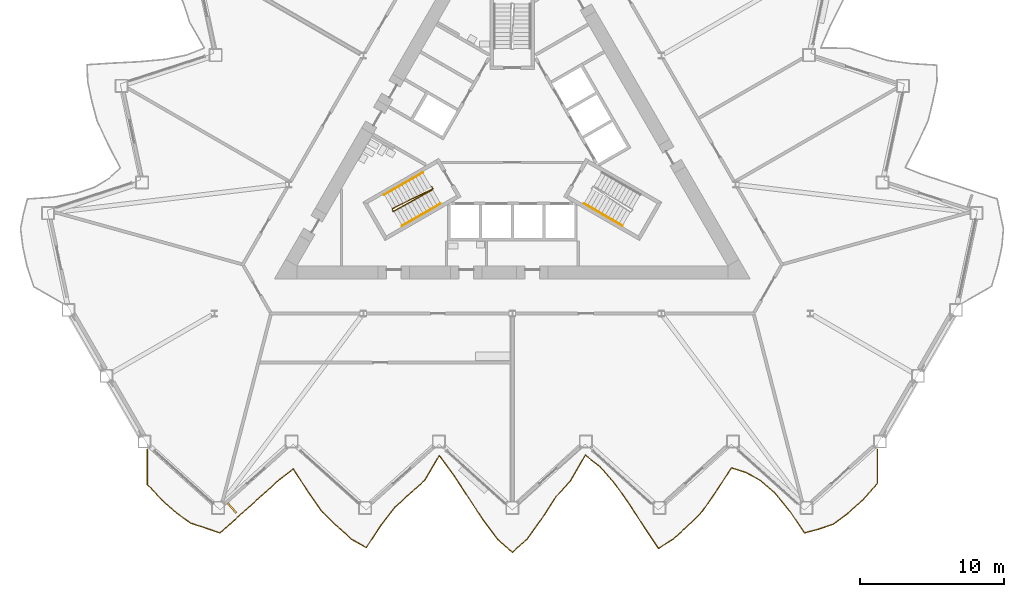
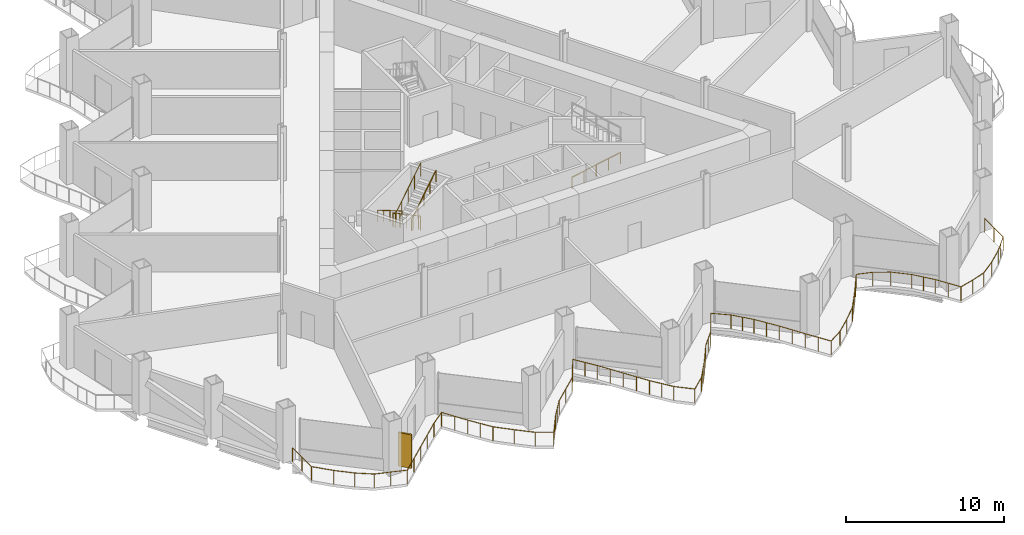
# One storey, part 17 of 21: 5 railings, 1 shading device.
"""IFC4 building model written with IfcOpenShell, lengths in metres."""

import ifcopenshell
import ifcopenshell.guid

model = None  # the IFC model being written
_history = None  # IfcOwnerHistory: only IFC2X3 demands one
_inside = {}  # id of a spatial element -> (the spatial element, [elements in it])
_under = {}  # id of a project, library or spatial element -> (it, [spatial elements below it])
_declared = {}  # id of a project -> (the project, [libraries it declares])
_typed = {}  # id of a type object -> (the type object, [elements of that type])
_made_of = {}  # id of a material, layer set ... -> (it, [elements and type objects made of it])


def new_model(schema):
    """Start an empty IFC model of exactly this schema.

    Asked for "IFC4X3", IfcOpenShell would pick the latest addendum, in which some entities
    have other attributes; the version numbers below select the first issue.
    IFC2X3 requires an IfcOwnerHistory on every rooted entity: one is made here for all.
    """
    global model, _history
    if schema == "IFC4X3":
        model = ifcopenshell.file(schema_version=(4, 3, 0, 0))
    else:
        model = ifcopenshell.file(schema=schema)
    _inside.clear()
    _under.clear()
    _declared.clear()
    _typed.clear()
    _made_of.clear()
    _history = None
    if model.schema == "IFC2X3":
        org = make("IfcOrganization", Name="unknown")
        user = make(
            "IfcPersonAndOrganization",
            ThePerson=make("IfcPerson", FamilyName="unknown"),
            TheOrganization=org,
        )
        app = make(
            "IfcApplication",
            ApplicationDeveloper=org,
            Version="unknown",
            ApplicationFullName="unknown",
            ApplicationIdentifier="unknown",
        )
        _history = make(
            "IfcOwnerHistory",
            OwningUser=user,
            OwningApplication=app,
            ChangeAction="ADDED",
            CreationDate=0,
        )
    return model


def make(cls, **values):
    """One entity of the class cls with the attributes given. An attribute that is None is left unset."""
    return model.create_entity(
        cls, **{name: value for name, value in values.items() if value is not None}
    )


def rooted(cls, **values):
    """An entity with a GlobalId (a new one), such as an element, a storey or a relation."""
    return make(cls, GlobalId=ifcopenshell.guid.new(), OwnerHistory=_history, **values)


def si_unit(unit_type, name, prefix=None):
    """IfcSIUnit, for example si_unit("LENGTHUNIT", "METRE", prefix="MILLI")."""
    return make("IfcSIUnit", UnitType=unit_type, Prefix=prefix, Name=name)


def assignment(units):
    """IfcUnitAssignment: the units of a project."""
    return None if units is None else make("IfcUnitAssignment", Units=units)


def point(xyz):
    """IfcCartesianPoint."""
    return None if xyz is None else make("IfcCartesianPoint", Coordinates=xyz)


def direction(xyz):
    """IfcDirection."""
    return None if xyz is None else make("IfcDirection", DirectionRatios=xyz)


def frame(location, z_axis=None, x_axis=None):
    """IfcAxis2Placement3D, a coordinate frame: its origin and axes. An axis left out is left unset."""
    return make(
        "IfcAxis2Placement3D",
        Location=point(location),
        Axis=direction(z_axis),
        RefDirection=direction(x_axis),
    )


def frame_2d(location, x_axis=None):
    """IfcAxis2Placement2D, a coordinate frame in the plane: its origin and x axis."""
    return make(
        "IfcAxis2Placement2D", Location=point(location), RefDirection=direction(x_axis)
    )


def origin():
    """The frame at (0, 0, 0) with its axes left unset."""
    return frame((0.0, 0.0, 0.0))


def origin_2d():
    """The frame at (0, 0) in the plane with its x axis left unset."""
    return frame_2d((0.0, 0.0))


def place(relative_to, where):
    """IfcLocalPlacement: puts the frame where relative to a parent placement (None: the world)."""
    return make(
        "IfcLocalPlacement", PlacementRelTo=relative_to, RelativePlacement=where
    )


def context(
    kind, dimensions, precision=None, world=None, true_north=None, identifier=None
):
    """IfcGeometricRepresentationContext, for example the 3D "Model" context."""
    return make(
        "IfcGeometricRepresentationContext",
        ContextIdentifier=identifier,
        ContextType=kind,
        CoordinateSpaceDimension=dimensions,
        Precision=precision,
        WorldCoordinateSystem=world,
        TrueNorth=true_north,
    )


def subcontext(parent, identifier, kind, view, scale=None):
    """IfcGeometricRepresentationSubContext, for example "Body" below "Model"."""
    return make(
        "IfcGeometricRepresentationSubContext",
        ContextIdentifier=identifier,
        ContextType=kind,
        ParentContext=parent,
        TargetScale=scale,
        TargetView=view,
    )


def project(units=None, contexts=None):
    """IfcProject with its units and contexts."""
    return rooted(
        "IfcProject",
        Name="project",
        RepresentationContexts=contexts,
        UnitsInContext=assignment(units),
    )


def spatial(cls, under=None, at=None, **own):
    """A site, building, storey or space (cls), placed at a placement, below another one or the project."""
    s = rooted(cls, ObjectPlacement=at, **own)
    if under is not None:
        _under.setdefault(under.id(), (under, []))[1].append(s)
    return s


def profile(cls, at=None, kind="AREA", **sizes):
    """A parametric profile (cls). Its sizes go by their IFC names, for example OverallWidth=200.0."""
    return make(cls, ProfileType=kind, Position=at, **sizes)


def rectangle(**sizes):
    """IfcRectangleProfileDef."""
    return profile("IfcRectangleProfileDef", **sizes)


def circle(**sizes):
    """IfcCircleProfileDef."""
    return profile("IfcCircleProfileDef", **sizes)


def extrude(swept, where, along, depth):
    """IfcExtrudedAreaSolid: the profile swept, set in the frame where, extruded along a direction by depth."""
    return make(
        "IfcExtrudedAreaSolid",
        SweptArea=swept,
        Position=where,
        ExtrudedDirection=direction(along),
        Depth=depth,
    )


def shape(context_of_items, identifier, shape_type, items):
    """IfcShapeRepresentation: the items that make up one representation, for example the "Body"."""
    return make(
        "IfcShapeRepresentation",
        ContextOfItems=context_of_items,
        RepresentationIdentifier=identifier,
        RepresentationType=shape_type,
        Items=items,
    )


def material(Name=None, Category=None):
    """IfcMaterial."""
    return make("IfcMaterial", Name=Name, Category=Category)


def layer(
    of_material, thickness, ventilated=None, Name=None, Category=None, Priority=None
):
    """IfcMaterialLayer: one layer of a wall or slab, of a material (None: an air gap)."""
    return make(
        "IfcMaterialLayer",
        Material=of_material,
        LayerThickness=thickness,
        IsVentilated=ventilated,
        Name=Name,
        Category=Category,
        Priority=Priority,
    )


def layer_set(layers, Name=None):
    """IfcMaterialLayerSet."""
    return make("IfcMaterialLayerSet", MaterialLayers=layers, LayerSetName=Name)


def made_of(thing, what):
    """Note that an element or type object is made of a material, layer set ...; save() writes the relation."""
    if what is not None:
        _made_of.setdefault(what.id(), (what, []))[1].append(thing)
    return thing


def type_object(cls, material=None, **own):
    """A type object (cls), such as IfcWallType, which elements share."""
    return made_of(rooted(cls, **own), material)


def element(
    cls,
    number,
    at=None,
    inside=None,
    cuts=None,
    type_object=None,
    material=None,
    context=None,
    identifier="Body",
    shape_type=None,
    held_by="IfcProductDefinitionShape",
    body=None,
    shapes=None,
    **own,
):
    """One element of the class cls, such as IfcWall. Its Tag is "e" and its number.

    at: its placement. inside: the storey or other place that contains it. cuts: it is an
    opening in that element (IfcRelVoidsElement). A single representation is given by context,
    identifier, shape_type and body (its items); several are given by shapes. held_by: the class
    of the entity that holds the representations. save() writes the other relations.
    """
    e = rooted(cls, Tag="e%d" % number, ObjectPlacement=at, **own)
    if body is not None:
        shapes = [shape(context, identifier, shape_type, body)]
    if shapes is not None:
        e.Representation = make(held_by, Representations=shapes)
    if inside is not None:
        _inside.setdefault(inside.id(), (inside, []))[1].append(e)
    if cuts is not None:
        rooted(
            "IfcRelVoidsElement", RelatingBuildingElement=cuts, RelatedOpeningElement=e
        )
    if type_object is not None:
        _typed.setdefault(type_object.id(), (type_object, []))[1].append(e)
    return made_of(e, material)


def aggregate(whole, parts):
    """IfcRelAggregates: a whole, such as a stair, and the parts it consists of."""
    return rooted("IfcRelAggregates", RelatingObject=whole, RelatedObjects=parts)


def save(model, path):
    """Write the relations noted so far, then the file.

    IfcRelAggregates (storeys below a building ...), IfcRelContainedInSpatialStructure (elements
    in a storey), IfcRelDefinesByType, IfcRelAssociatesMaterial and IfcRelDeclares: one each for
    every whole, place, type object, material and project.
    """
    for whole, parts in _under.values():
        aggregate(whole, parts)
    for where, things in _inside.values():
        rooted(
            "IfcRelContainedInSpatialStructure",
            RelatedElements=things,
            RelatingStructure=where,
        )
    for kind, things in _typed.values():
        rooted("IfcRelDefinesByType", RelatedObjects=things, RelatingType=kind)
    for what, things in _made_of.values():
        rooted("IfcRelAssociatesMaterial", RelatedObjects=things, RelatingMaterial=what)
    for by, libraries in _declared.values():
        rooted("IfcRelDeclares", RelatingContext=by, RelatedDefinitions=libraries)
    model.write(path)


model = new_model("IFC4")

# Units and contexts
model_context = context("Model", 3, precision=1e-05, world=origin(), true_north=direction((0.0, 1.0)))
body_context = subcontext(model_context, "Body", "Model", "MODEL_VIEW")
ifc_project = project(units=[si_unit("LENGTHUNIT", "METRE"), si_unit("AREAUNIT", "SQUARE_METRE"), si_unit("VOLUMEUNIT", "CUBIC_METRE"), si_unit("PLANEANGLEUNIT", "RADIAN"), si_unit("MASSUNIT", "GRAM", prefix="KILO")], contexts=[model_context])

# Site, building, storey
site_placement = place(None, origin())
site = spatial("IfcSite", under=ifc_project, at=site_placement, CompositionType="ELEMENT")
building_placement = place(site_placement, origin())
building = spatial("IfcBuilding", under=site, at=building_placement, Name="Cormorant Prow Tower", CompositionType="ELEMENT")
storey_placement = place(building_placement, frame((0.0, 0.0, 141.60009765625)))
storey = spatial("IfcBuildingStorey", under=building, at=storey_placement, Name="L30", CompositionType="ELEMENT", Elevation=141.60009765625)

# Railings
ifc_material_1 = material(Name="Aluminium 6063-T6", Category="aluminium")
railing_type_1 = type_object("IfcRailingType", Name="Balcony guard 1100", PredefinedType="GUARDRAIL", material=ifc_material_1)
railing_1_placement = place(storey_placement, frame((-25.322509765625, -21.367919921875, 0.0)))
element("IfcRailing", 1, at=railing_1_placement, inside=storey, type_object=railing_type_1, Name="Balcony guard S", PredefinedType="GUARDRAIL", context=body_context, shape_type="SweptSolid", body=[
    extrude(circle(Radius=0.02392578125, at=origin_2d()), frame((0.0, 0.0, 1.076171875), z_axis=(0.0, -1.0, 0.0), x_axis=(1.0, 0.0, 0.0)), (0.0, 0.0, 1.0), 2.404052734375),
    extrude(circle(Radius=0.02392578125, at=origin_2d()), frame((0.0, -2.404052734375, 1.076171875), z_axis=(0.684643577426, -0.728878022641, 0.0), x_axis=(0.728878022641, 0.684643577426, 0.0)), (0.0, 0.0, 1.0), 1.479248046875),
    extrude(circle(Radius=0.02392578125, at=origin_2d()), frame((1.0126953125, -3.482177734375, 1.076171875), z_axis=(0.743124908613, -0.669152725616, 0.0), x_axis=(0.669152725616, 0.743124908613, 0.0)), (0.0, 0.0, 1.0), 1.363037109375),
    extrude(circle(Radius=0.02392578125, at=origin_2d()), frame((2.025634765625, -4.394287109375, 1.076171875), z_axis=(0.817218885489, -0.5763274184, 0.0), x_axis=(0.5763274184, 0.817218885489, 0.0)), (0.0, 0.0, 1.0), 1.239501953125),
    extrude(circle(Radius=0.02392578125, at=origin_2d()), frame((3.03857421875, -5.108642578125, 1.076171875), z_axis=(0.951801546947, -0.306714550077, 0.0), x_axis=(0.306714550077, 0.951801546947, 0.0)), (0.0, 0.0, 1.0), 1.064208984375),
    extrude(circle(Radius=0.02392578125, at=origin_2d()), frame((4.051513671875, -5.43505859375, 1.076171875), z_axis=(0.94654027154, -0.32258566979, 0.0), x_axis=(0.32258566979, 0.94654027154, 0.0)), (0.0, 0.0, 1.0), 1.070068359375),
    extrude(circle(Radius=0.02392578125, at=origin_2d()), frame((5.064453125, -5.7802734375, 1.076171875), z_axis=(0.743124908613, 0.669152725616, 0.0), x_axis=(-0.669152725616, 0.743124908613, 0.0)), (0.0, 0.0, 1.0), 1.363037109375),
    extrude(circle(Radius=0.02392578125, at=origin_2d()), frame((6.077392578125, -4.8681640625, 1.076171875), z_axis=(0.743133776471, 0.669142877319, 0.0), x_axis=(-0.669142877319, 0.743133776471, 0.0)), (0.0, 0.0, 1.0), 1.36279296875),
    extrude(circle(Radius=0.02392578125, at=origin_2d()), frame((7.090087890625, -3.956298828125, 1.076171875), z_axis=(0.743124908613, 0.669152725616, 0.0), x_axis=(-0.669152725616, 0.743124908613, 0.0)), (0.0, 0.0, 1.0), 1.363037109375),
    extrude(circle(Radius=0.02392578125, at=origin_2d()), frame((8.10302734375, -3.044189453125, 1.076171875), z_axis=(0.743124908613, 0.669152725616, 0.0), x_axis=(-0.669152725616, 0.743124908613, 0.0)), (0.0, 0.0, 1.0), 1.363037109375),
    extrude(circle(Radius=0.02392578125, at=origin_2d()), frame((9.115966796875, -2.132080078125, 1.076171875), z_axis=(0.787416886563, 0.616420835757, 0.0), x_axis=(-0.616420835757, 0.787416886563, 0.0)), (0.0, 0.0, 1.0), 1.286376953125),
    extrude(circle(Radius=0.02392578125, at=origin_2d()), frame((10.12890625, -1.339111328125, 1.076171875), z_axis=(0.542600411715, -0.839990948288, 0.0), x_axis=(0.839990948288, 0.542600411715, 0.0)), (0.0, 0.0, 1.0), 1.866943359375),
    extrude(circle(Radius=0.02392578125, at=origin_2d()), frame((11.141845703125, -2.9072265625, 1.076171875), z_axis=(0.576601351146, -0.817025631089, 0.0), x_axis=(0.817025631089, 0.576601351146, 0.0)), (0.0, 0.0, 1.0), 1.7568359375),
    extrude(circle(Radius=0.02392578125, at=origin_2d()), frame((12.15478515625, -4.342529296875, 1.076171875), z_axis=(0.72452402997, -0.689249541165, 0.0), x_axis=(0.689249541165, 0.72452402997, 0.0)), (0.0, 0.0, 1.0), 1.398193359375),
    extrude(circle(Radius=0.02392578125, at=origin_2d()), frame((13.167724609375, -5.30615234375, 1.076171875), z_axis=(0.743124908613, -0.669152725616, 0.0), x_axis=(0.669152725616, 0.743124908613, 0.0)), (0.0, 0.0, 1.0), 1.363037109375),
    extrude(circle(Radius=0.02392578125, at=origin_2d()), frame((14.1806640625, -6.21826171875, 1.076171875), z_axis=(0.868320405783, -0.496003702508, 0.0), x_axis=(0.496003702508, 0.868320405783, 0.0)), (0.0, 0.0, 1.0), 1.16650390625),
    extrude(circle(Radius=0.02392578125, at=origin_2d()), frame((15.193603515625, -6.796875, 1.076171875), z_axis=(0.550832958169, 0.834615511595, 0.0), x_axis=(-0.834615511595, 0.550832958169, 0.0)), (0.0, 0.0, 1.0), 1.83837890625),
    extrude(circle(Radius=0.02392578125, at=origin_2d()), frame((16.206298828125, -5.262451171875, 1.076171875), z_axis=(0.61282540161, 0.790218341435, 0.0), x_axis=(-0.790218341435, 0.61282540161, 0.0)), (0.0, 0.0, 1.0), 1.65283203125),
    extrude(circle(Radius=0.02392578125, at=origin_2d()), frame((17.21923828125, -3.956298828125, 1.076171875), z_axis=(0.743124908613, 0.669152725616, 0.0), x_axis=(-0.669152725616, 0.743124908613, 0.0)), (0.0, 0.0, 1.0), 1.363037109375),
    extrude(circle(Radius=0.02392578125, at=origin_2d()), frame((18.232177734375, -3.044189453125, 1.076171875), z_axis=(0.743124908613, 0.669152725616, 0.0), x_axis=(-0.669152725616, 0.743124908613, 0.0)), (0.0, 0.0, 1.0), 1.363037109375),
    extrude(circle(Radius=0.02392578125, at=origin_2d()), frame((19.2451171875, -2.132080078125, 1.076171875), z_axis=(0.509179917799, 0.860660102079, 0.0), x_axis=(-0.860660102079, 0.509179917799, 0.0)), (0.0, 0.0, 1.0), 1.9892578125),
    extrude(circle(Radius=0.02392578125, at=origin_2d()), frame((20.258056640625, -0.419921875, 1.076171875), z_axis=(0.594894887294, -0.803803504018, 0.0), x_axis=(0.803803504018, 0.594894887294, 0.0)), (0.0, 0.0, 1.0), 1.70263671875),
    extrude(circle(Radius=0.02392578125, at=origin_2d()), frame((21.27099609375, -1.78857421875, 1.076171875), z_axis=(0.547309796682, -0.836930096517, 0.0), x_axis=(0.836930096517, 0.547309796682, 0.0)), (0.0, 0.0, 1.0), 1.850341796875),
    extrude(circle(Radius=0.02392578125, at=origin_2d()), frame((22.28369140625, -3.337158203125, 1.076171875), z_axis=(0.546919020367, -0.837185514185, 0.0), x_axis=(0.837185514185, 0.546919020367, 0.0)), (0.0, 0.0, 1.0), 1.85205078125),
    extrude(circle(Radius=0.02392578125, at=origin_2d()), frame((23.296630859375, -4.8876953125, 1.076171875), z_axis=(0.605730861972, -0.795669606592, 0.0), x_axis=(0.795669606592, 0.605730861972, 0.0)), (0.0, 0.0, 1.0), 1.67236328125),
    extrude(circle(Radius=0.02392578125, at=origin_2d()), frame((24.3095703125, -6.21826171875, 1.076171875), z_axis=(0.743213977372, -0.669053797417, 0.0), x_axis=(0.669053797417, 0.743213977372, 0.0)), (0.0, 0.0, 1.0), 1.363037109375),
    extrude(circle(Radius=0.02392578125, at=origin_2d()), frame((25.322509765625, -7.130126953125, 1.076171875), z_axis=(0.743213977372, 0.669053797417, 0.0), x_axis=(-0.669053797417, 0.743213977372, 0.0)), (0.0, 0.0, 1.0), 1.363037109375),
    extrude(circle(Radius=0.02392578125, at=origin_2d()), frame((26.33544921875, -6.21826171875, 1.076171875), z_axis=(0.587556846103, 0.809182891933, 0.0), x_axis=(-0.809182891933, 0.587556846103, 0.0)), (0.0, 0.0, 1.0), 1.723876953125),
    extrude(circle(Radius=0.02392578125, at=origin_2d()), frame((27.348388671875, -4.8232421875, 1.076171875), z_axis=(0.544692987816, 0.838635528119, 0.0), x_axis=(-0.838635528119, 0.544692987816, 0.0)), (0.0, 0.0, 1.0), 1.859619140625),
    extrude(circle(Radius=0.02392578125, at=origin_2d()), frame((28.361328125, -3.263671875, 1.076171875), z_axis=(0.666874746056, 0.745169828343, 0.0), x_axis=(-0.745169828343, 0.666874746056, 0.0)), (0.0, 0.0, 1.0), 1.5185546875),
    extrude(circle(Radius=0.02392578125, at=origin_2d()), frame((29.3740234375, -2.132080078125, 1.076171875), z_axis=(0.502004160117, 0.864865205234, 0.0), x_axis=(-0.864865205234, 0.502004160117, 0.0)), (0.0, 0.0, 1.0), 2.017822265625),
    extrude(circle(Radius=0.02392578125, at=origin_2d()), frame((30.386962890625, -0.386962890625, 1.076171875), z_axis=(0.784287247968, -0.620397866433, 0.0), x_axis=(0.620397866433, 0.784287247968, 0.0)), (0.0, 0.0, 1.0), 1.29150390625),
    extrude(circle(Radius=0.02392578125, at=origin_2d()), frame((31.39990234375, -1.188232421875, 1.076171875), z_axis=(0.661242031775, -0.750172630409, 0.0), x_axis=(0.750172630409, 0.661242031775, 0.0)), (0.0, 0.0, 1.0), 1.531982421875),
    extrude(circle(Radius=0.02392578125, at=origin_2d()), frame((32.412841796875, -2.33740234375, 1.076171875), z_axis=(0.577781624443, -0.816191395725, 0.0), x_axis=(0.816191395725, 0.577781624443, 0.0)), (0.0, 0.0, 1.0), 1.753173828125),
    extrude(circle(Radius=0.02392578125, at=origin_2d()), frame((33.42578125, -3.768310546875, 1.076171875), z_axis=(0.542838919427, -0.839836833888, 0.0), x_axis=(0.839836833888, 0.542838919427, 0.0)), (0.0, 0.0, 1.0), 1.865966796875),
    extrude(circle(Radius=0.02392578125, at=origin_2d()), frame((34.438720703125, -5.33544921875, 1.076171875), z_axis=(0.554330067135, -0.832296928187, 0.0), x_axis=(0.832296928187, 0.554330067135, 0.0)), (0.0, 0.0, 1.0), 1.826904296875),
    extrude(circle(Radius=0.02392578125, at=origin_2d()), frame((35.451416015625, -6.85595703125, 1.076171875), z_axis=(0.846263494007, 0.532764580946, 0.0), x_axis=(-0.532764580946, 0.846263494007, 0.0)), (0.0, 0.0, 1.0), 1.197021484375),
    extrude(circle(Radius=0.02392578125, at=origin_2d()), frame((36.46435546875, -6.21826171875, 1.076171875), z_axis=(0.743124908613, 0.669152725616, 0.0), x_axis=(-0.669152725616, 0.743124908613, 0.0)), (0.0, 0.0, 1.0), 1.363037109375),
    extrude(circle(Radius=0.02392578125, at=origin_2d()), frame((37.477294921875, -5.30615234375, 1.076171875), z_axis=(0.708300783567, 0.705910759231, 0.0), x_axis=(-0.705910759231, 0.708300783567, 0.0)), (0.0, 0.0, 1.0), 1.43017578125),
    extrude(circle(Radius=0.02392578125, at=origin_2d()), frame((38.490234375, -4.296630859375, 1.076171875), z_axis=(0.57049630131, 0.821300170578, 0.0), x_axis=(-0.821300170578, 0.57049630131, 0.0)), (0.0, 0.0, 1.0), 1.775634765625),
    extrude(circle(Radius=0.02392578125, at=origin_2d()), frame((39.503173828125, -2.83837890625, 1.076171875), z_axis=(0.541707483767, 0.840567071703, 0.0), x_axis=(-0.840567071703, 0.541707483767, 0.0)), (0.0, 0.0, 1.0), 1.869873046875),
    extrude(circle(Radius=0.02392578125, at=origin_2d()), frame((40.51611328125, -1.2666015625, 1.076171875), z_axis=(0.952669116007, -0.304009137044, 0.0), x_axis=(0.304009137044, 0.952669116007, 0.0)), (0.0, 0.0, 1.0), 1.063232421875),
    extrude(circle(Radius=0.02392578125, at=origin_2d()), frame((41.529052734375, -1.58984375, 1.076171875), z_axis=(0.875586917879, -0.483060606176, 0.0), x_axis=(0.483060606176, 0.875586917879, 0.0)), (0.0, 0.0, 1.0), 1.156982421875),
    extrude(circle(Radius=0.02392578125, at=origin_2d()), frame((42.5419921875, -2.148681640625, 1.076171875), z_axis=(0.75009632031, -0.661328594768, 0.0), x_axis=(0.661328594768, 0.75009632031, 0.0)), (0.0, 0.0, 1.0), 1.350341796875),
    extrude(circle(Radius=0.02392578125, at=origin_2d()), frame((43.554931640625, -3.041748046875, 1.076171875), z_axis=(0.634719844274, -0.77274233693, 0.0), x_axis=(0.77274233693, 0.634719844274, 0.0)), (0.0, 0.0, 1.0), 1.595458984375),
    extrude(circle(Radius=0.02392578125, at=origin_2d()), frame((44.567626953125, -4.274658203125, 1.076171875), z_axis=(0.558203636629, -0.829703983391, 0.0), x_axis=(0.829703983391, 0.558203636629, 0.0)), (0.0, 0.0, 1.0), 1.814697265625),
    extrude(circle(Radius=0.02392578125, at=origin_2d()), frame((45.58056640625, -5.7802734375, 1.076171875), z_axis=(0.965383981058, 0.260832837495, 0.0), x_axis=(-0.260832837495, 0.965383981058, 0.0)), (0.0, 0.0, 1.0), 1.04931640625),
    extrude(circle(Radius=0.02392578125, at=origin_2d()), frame((46.593505859375, -5.506591796875, 1.076171875), z_axis=(0.946400884975, 0.322994372891, 0.0), x_axis=(-0.322994372891, 0.946400884975, 0.0)), (0.0, 0.0, 1.0), 1.0703125),
    extrude(circle(Radius=0.02392578125, at=origin_2d()), frame((47.6064453125, -5.160888671875, 1.076171875), z_axis=(0.797386389798, 0.603469092303, 0.0), x_axis=(-0.603469092303, 0.797386389798, 0.0)), (0.0, 0.0, 1.0), 1.270263671875),
    extrude(circle(Radius=0.02392578125, at=origin_2d()), frame((48.619384765625, -4.394287109375, 1.076171875), z_axis=(0.743124908613, 0.669152725616, 0.0), x_axis=(-0.669152725616, 0.743124908613, 0.0)), (0.0, 0.0, 1.0), 1.363037109375),
    extrude(circle(Radius=0.02392578125, at=origin_2d()), frame((49.63232421875, -3.482177734375, 1.076171875), z_axis=(0.666874746056, 0.745169828343, 0.0), x_axis=(-0.745169828343, 0.666874746056, 0.0)), (0.0, 0.0, 1.0), 1.5185546875),
    extrude(circle(Radius=0.02392578125, at=origin_2d()), frame((50.64501953125, -2.3505859375, 1.076171875), z_axis=(0.0, 1.0, 0.0), x_axis=(-1.0, 0.0, 0.0)), (0.0, 0.0, 1.0), 2.3505859375),
    extrude(circle(Radius=0.02099609375, at=origin_2d()), origin(), (0.0, 0.0, 1.0), 1.052001953125),
    extrude(circle(Radius=0.02099609375, at=origin_2d()), frame((0.0, -1.2021484375, 0.0)), (0.0, 0.0, 1.0), 1.052001953125),
    extrude(circle(Radius=0.02099609375, at=origin_2d()), frame((0.0, -2.404052734375, 0.0)), (0.0, 0.0, 1.0), 1.052001953125),
    extrude(circle(Radius=0.02099609375, at=origin_2d()), frame((1.0126953125, -3.482177734375, 0.0)), (0.0, 0.0, 1.0), 1.052001953125),
    extrude(circle(Radius=0.02099609375, at=origin_2d()), frame((2.025634765625, -4.394287109375, 0.0)), (0.0, 0.0, 1.0), 1.052001953125),
    extrude(circle(Radius=0.02099609375, at=origin_2d()), frame((3.03857421875, -5.108642578125, 0.0)), (0.0, 0.0, 1.0), 1.052001953125),
    extrude(circle(Radius=0.02099609375, at=origin_2d()), frame((4.051513671875, -5.43505859375, 0.0)), (0.0, 0.0, 1.0), 1.052001953125),
    extrude(circle(Radius=0.02099609375, at=origin_2d()), frame((5.064453125, -5.7802734375, 0.0)), (0.0, 0.0, 1.0), 1.052001953125),
    extrude(circle(Radius=0.02099609375, at=origin_2d()), frame((6.077392578125, -4.8681640625, 0.0)), (0.0, 0.0, 1.0), 1.052001953125),
    extrude(circle(Radius=0.02099609375, at=origin_2d()), frame((7.090087890625, -3.956298828125, 0.0)), (0.0, 0.0, 1.0), 1.052001953125),
    extrude(circle(Radius=0.02099609375, at=origin_2d()), frame((8.10302734375, -3.044189453125, 0.0)), (0.0, 0.0, 1.0), 1.052001953125),
    extrude(circle(Radius=0.02099609375, at=origin_2d()), frame((9.115966796875, -2.132080078125, 0.0)), (0.0, 0.0, 1.0), 1.052001953125),
    extrude(circle(Radius=0.02099609375, at=origin_2d()), frame((10.12890625, -1.339111328125, 0.0)), (0.0, 0.0, 1.0), 1.052001953125),
    extrude(circle(Radius=0.02099609375, at=origin_2d()), frame((10.63525390625, -2.123046875, 0.0)), (0.0, 0.0, 1.0), 1.052001953125),
    extrude(circle(Radius=0.02099609375, at=origin_2d()), frame((11.141845703125, -2.9072265625, 0.0)), (0.0, 0.0, 1.0), 1.052001953125),
    extrude(circle(Radius=0.02099609375, at=origin_2d()), frame((11.6484375, -3.625, 0.0)), (0.0, 0.0, 1.0), 1.052001953125),
    extrude(circle(Radius=0.02099609375, at=origin_2d()), frame((12.15478515625, -4.342529296875, 0.0)), (0.0, 0.0, 1.0), 1.052001953125),
    extrude(circle(Radius=0.02099609375, at=origin_2d()), frame((13.167724609375, -5.30615234375, 0.0)), (0.0, 0.0, 1.0), 1.052001953125),
    extrude(circle(Radius=0.02099609375, at=origin_2d()), frame((14.1806640625, -6.21826171875, 0.0)), (0.0, 0.0, 1.0), 1.052001953125),
    extrude(circle(Radius=0.02099609375, at=origin_2d()), frame((15.193603515625, -6.796875, 0.0)), (0.0, 0.0, 1.0), 1.052001953125),
    extrude(circle(Radius=0.02099609375, at=origin_2d()), frame((15.699951171875, -6.02978515625, 0.0)), (0.0, 0.0, 1.0), 1.052001953125),
    extrude(circle(Radius=0.02099609375, at=origin_2d()), frame((16.206298828125, -5.262451171875, 0.0)), (0.0, 0.0, 1.0), 1.052001953125),
    extrude(circle(Radius=0.02099609375, at=origin_2d()), frame((16.712890625, -4.609375, 0.0)), (0.0, 0.0, 1.0), 1.052001953125),
    extrude(circle(Radius=0.02099609375, at=origin_2d()), frame((17.21923828125, -3.956298828125, 0.0)), (0.0, 0.0, 1.0), 1.052001953125),
    extrude(circle(Radius=0.02099609375, at=origin_2d()), frame((18.232177734375, -3.044189453125, 0.0)), (0.0, 0.0, 1.0), 1.052001953125),
    extrude(circle(Radius=0.02099609375, at=origin_2d()), frame((19.2451171875, -2.132080078125, 0.0)), (0.0, 0.0, 1.0), 1.052001953125),
    extrude(circle(Radius=0.02099609375, at=origin_2d()), frame((19.75146484375, -1.27587890625, 0.0)), (0.0, 0.0, 1.0), 1.052001953125),
    extrude(circle(Radius=0.02099609375, at=origin_2d()), frame((20.258056640625, -0.419921875, 0.0)), (0.0, 0.0, 1.0), 1.052001953125),
    extrude(circle(Radius=0.02099609375, at=origin_2d()), frame((20.7646484375, -1.104248046875, 0.0)), (0.0, 0.0, 1.0), 1.052001953125),
    extrude(circle(Radius=0.02099609375, at=origin_2d()), frame((21.27099609375, -1.78857421875, 0.0)), (0.0, 0.0, 1.0), 1.052001953125),
    extrude(circle(Radius=0.02099609375, at=origin_2d()), frame((21.77734375, -2.56298828125, 0.0)), (0.0, 0.0, 1.0), 1.052001953125),
    extrude(circle(Radius=0.02099609375, at=origin_2d()), frame((22.28369140625, -3.337158203125, 0.0)), (0.0, 0.0, 1.0), 1.052001953125),
    extrude(circle(Radius=0.02099609375, at=origin_2d()), frame((22.7900390625, -4.1123046875, 0.0)), (0.0, 0.0, 1.0), 1.052001953125),
    extrude(circle(Radius=0.02099609375, at=origin_2d()), frame((23.296630859375, -4.8876953125, 0.0)), (0.0, 0.0, 1.0), 1.052001953125),
    extrude(circle(Radius=0.02099609375, at=origin_2d()), frame((23.80322265625, -5.552978515625, 0.0)), (0.0, 0.0, 1.0), 1.052001953125),
    extrude(circle(Radius=0.02099609375, at=origin_2d()), frame((24.3095703125, -6.21826171875, 0.0)), (0.0, 0.0, 1.0), 1.052001953125),
    extrude(circle(Radius=0.02099609375, at=origin_2d()), frame((25.322509765625, -7.130126953125, 0.0)), (0.0, 0.0, 1.0), 1.052001953125),
    extrude(circle(Radius=0.02099609375, at=origin_2d()), frame((26.33544921875, -6.21826171875, 0.0)), (0.0, 0.0, 1.0), 1.052001953125),
    extrude(circle(Radius=0.02099609375, at=origin_2d()), frame((26.841796875, -5.520751953125, 0.0)), (0.0, 0.0, 1.0), 1.052001953125),
    extrude(circle(Radius=0.02099609375, at=origin_2d()), frame((27.348388671875, -4.8232421875, 0.0)), (0.0, 0.0, 1.0), 1.052001953125),
    extrude(circle(Radius=0.02099609375, at=origin_2d()), frame((27.85498046875, -4.04345703125, 0.0)), (0.0, 0.0, 1.0), 1.052001953125),
    extrude(circle(Radius=0.02099609375, at=origin_2d()), frame((28.361328125, -3.263671875, 0.0)), (0.0, 0.0, 1.0), 1.052001953125),
    extrude(circle(Radius=0.02099609375, at=origin_2d()), frame((28.86767578125, -2.69775390625, 0.0)), (0.0, 0.0, 1.0), 1.052001953125),
    extrude(circle(Radius=0.02099609375, at=origin_2d()), frame((29.3740234375, -2.132080078125, 0.0)), (0.0, 0.0, 1.0), 1.052001953125),
    extrude(circle(Radius=0.02099609375, at=origin_2d()), frame((29.88037109375, -1.259521484375, 0.0)), (0.0, 0.0, 1.0), 1.052001953125),
    extrude(circle(Radius=0.02099609375, at=origin_2d()), frame((30.386962890625, -0.386962890625, 0.0)), (0.0, 0.0, 1.0), 1.052001953125),
    extrude(circle(Radius=0.02099609375, at=origin_2d()), frame((31.39990234375, -1.188232421875, 0.0)), (0.0, 0.0, 1.0), 1.052001953125),
    extrude(circle(Radius=0.02099609375, at=origin_2d()), frame((31.90625, -1.7626953125, 0.0)), (0.0, 0.0, 1.0), 1.052001953125),
    extrude(circle(Radius=0.02099609375, at=origin_2d()), frame((32.412841796875, -2.33740234375, 0.0)), (0.0, 0.0, 1.0), 1.052001953125),
    extrude(circle(Radius=0.02099609375, at=origin_2d()), frame((32.91943359375, -3.052734375, 0.0)), (0.0, 0.0, 1.0), 1.052001953125),
    extrude(circle(Radius=0.02099609375, at=origin_2d()), frame((33.42578125, -3.768310546875, 0.0)), (0.0, 0.0, 1.0), 1.052001953125),
    extrude(circle(Radius=0.02099609375, at=origin_2d()), frame((33.93212890625, -4.5517578125, 0.0)), (0.0, 0.0, 1.0), 1.052001953125),
    extrude(circle(Radius=0.02099609375, at=origin_2d()), frame((34.438720703125, -5.33544921875, 0.0)), (0.0, 0.0, 1.0), 1.052001953125),
    extrude(circle(Radius=0.02099609375, at=origin_2d()), frame((34.945068359375, -6.095703125, 0.0)), (0.0, 0.0, 1.0), 1.052001953125),
    extrude(circle(Radius=0.02099609375, at=origin_2d()), frame((35.451416015625, -6.85595703125, 0.0)), (0.0, 0.0, 1.0), 1.052001953125),
    extrude(circle(Radius=0.02099609375, at=origin_2d()), frame((36.46435546875, -6.21826171875, 0.0)), (0.0, 0.0, 1.0), 1.052001953125),
    extrude(circle(Radius=0.02099609375, at=origin_2d()), frame((37.477294921875, -5.30615234375, 0.0)), (0.0, 0.0, 1.0), 1.052001953125),
    extrude(circle(Radius=0.02099609375, at=origin_2d()), frame((38.490234375, -4.296630859375, 0.0)), (0.0, 0.0, 1.0), 1.052001953125),
    extrude(circle(Radius=0.02099609375, at=origin_2d()), frame((38.99658203125, -3.5673828125, 0.0)), (0.0, 0.0, 1.0), 1.052001953125),
    extrude(circle(Radius=0.02099609375, at=origin_2d()), frame((39.503173828125, -2.83837890625, 0.0)), (0.0, 0.0, 1.0), 1.052001953125),
    extrude(circle(Radius=0.02099609375, at=origin_2d()), frame((40.009765625, -2.052490234375, 0.0)), (0.0, 0.0, 1.0), 1.052001953125),
    extrude(circle(Radius=0.02099609375, at=origin_2d()), frame((40.51611328125, -1.2666015625, 0.0)), (0.0, 0.0, 1.0), 1.052001953125),
    extrude(circle(Radius=0.02099609375, at=origin_2d()), frame((41.529052734375, -1.58984375, 0.0)), (0.0, 0.0, 1.0), 1.052001953125),
    extrude(circle(Radius=0.02099609375, at=origin_2d()), frame((42.5419921875, -2.148681640625, 0.0)), (0.0, 0.0, 1.0), 1.052001953125),
    extrude(circle(Radius=0.02099609375, at=origin_2d()), frame((43.554931640625, -3.041748046875, 0.0)), (0.0, 0.0, 1.0), 1.052001953125),
    extrude(circle(Radius=0.02099609375, at=origin_2d()), frame((44.061279296875, -3.658203125, 0.0)), (0.0, 0.0, 1.0), 1.052001953125),
    extrude(circle(Radius=0.02099609375, at=origin_2d()), frame((44.567626953125, -4.274658203125, 0.0)), (0.0, 0.0, 1.0), 1.052001953125),
    extrude(circle(Radius=0.02099609375, at=origin_2d()), frame((45.07421875, -5.02734375, 0.0)), (0.0, 0.0, 1.0), 1.052001953125),
    extrude(circle(Radius=0.02099609375, at=origin_2d()), frame((45.58056640625, -5.7802734375, 0.0)), (0.0, 0.0, 1.0), 1.052001953125),
    extrude(circle(Radius=0.02099609375, at=origin_2d()), frame((46.593505859375, -5.506591796875, 0.0)), (0.0, 0.0, 1.0), 1.052001953125),
    extrude(circle(Radius=0.02099609375, at=origin_2d()), frame((47.6064453125, -5.160888671875, 0.0)), (0.0, 0.0, 1.0), 1.052001953125),
    extrude(circle(Radius=0.02099609375, at=origin_2d()), frame((48.619384765625, -4.394287109375, 0.0)), (0.0, 0.0, 1.0), 1.052001953125),
    extrude(circle(Radius=0.02099609375, at=origin_2d()), frame((49.63232421875, -3.482177734375, 0.0)), (0.0, 0.0, 1.0), 1.052001953125),
    extrude(circle(Radius=0.02099609375, at=origin_2d()), frame((50.138671875, -2.91650390625, 0.0)), (0.0, 0.0, 1.0), 1.052001953125),
    extrude(circle(Radius=0.02099609375, at=origin_2d()), frame((50.64501953125, -2.3505859375, 0.0)), (0.0, 0.0, 1.0), 1.052001953125),
    extrude(circle(Radius=0.02099609375, at=origin_2d()), frame((50.64501953125, -1.17529296875, 0.0)), (0.0, 0.0, 1.0), 1.052001953125),
    extrude(circle(Radius=0.02099609375, at=origin_2d()), frame((50.64501953125, 0.0, 0.0)), (0.0, 0.0, 1.0), 1.052001953125),
])
ifc_material_2 = material(Name="Stainless steel", Category="steel")
railing_type_2 = type_object("IfcRailingType", Name="Stair guard 1100", PredefinedType="GUARDRAIL", material=ifc_material_2)
railing_2_placement = place(storey_placement, frame((-5.585205078125, -3.137939453125, 0.0)))
element("IfcRailing", 2, at=railing_2_placement, inside=storey, type_object=railing_type_2, Name="L30 ST1 stair guard 1", PredefinedType="GUARDRAIL", context=body_context, shape_type="SweptSolid", body=[
    extrude(circle(Radius=0.02392578125, at=origin_2d()), frame((0.0, 0.0, 1.076171875), z_axis=(0.501036270542, -0.865426285481, 0.0), x_axis=(0.865426285481, 0.501036270542, 0.0)), (0.0, 0.0, 1.0), 0.150146484375),
    extrude(circle(Radius=0.02392578125, at=origin_2d()), frame((0.0751953125, -0.1298828125, 1.076171875), z_axis=(-0.744670798681, -0.368745611333, 0.556320119817), x_axis=(0.443754251299, -0.896148516963, 0.0)), (0.0, 0.0, 1.0), 3.774658203125),
    extrude(circle(Radius=0.02392578125, at=origin_2d()), frame((-2.735595703125, -1.521728515625, 3.17578125), z_axis=(0.274721127897, -0.961523947641, 0.0), x_axis=(0.961523947641, 0.274721127897, 0.0)), (0.0, 0.0, 1.0), 0.2060546875),
    extrude(circle(Radius=0.02392578125, at=origin_2d()), frame((-2.678955078125, -1.719970703125, 3.17578125), z_axis=(0.725738344322, 0.403670096391, 0.557094524171), x_axis=(-0.486086505765, 0.873910698477, 0.0)), (0.0, 0.0, 1.0), 3.769775390625),
    extrude(circle(Radius=0.02099609375, at=origin_2d()), origin(), (0.0, 0.0, 1.0), 1.052001953125),
    extrude(circle(Radius=0.02099609375, at=origin_2d()), frame((0.0751953125, -0.1298828125, 0.0)), (0.0, 0.0, 1.0), 1.052001953125),
    extrude(circle(Radius=0.02099609375, at=origin_2d()), frame((-0.62744140625, -0.477783203125, 0.52490234375)), (0.0, 0.0, 1.0), 1.052001953125),
    extrude(circle(Radius=0.02099609375, at=origin_2d()), frame((-1.330078125, -0.82568359375, 1.0498046875)), (0.0, 0.0, 1.0), 1.052001953125),
    extrude(circle(Radius=0.02099609375, at=origin_2d()), frame((-2.032958984375, -1.173828125, 1.574951171875)), (0.0, 0.0, 1.0), 1.052001953125),
    extrude(circle(Radius=0.02099609375, at=origin_2d()), frame((-2.735595703125, -1.521728515625, 2.099853515625)), (0.0, 0.0, 1.0), 1.052001953125),
    extrude(circle(Radius=0.02099609375, at=origin_2d()), frame((-2.678955078125, -1.719970703125, 2.099853515625)), (0.0, 0.0, 1.0), 1.052001953125),
    extrude(circle(Radius=0.02099609375, at=origin_2d()), frame((-1.9951171875, -1.339599609375, 2.625)), (0.0, 0.0, 1.0), 1.052001953125),
    extrude(circle(Radius=0.02099609375, at=origin_2d()), frame((-1.31103515625, -0.958984375, 3.14990234375)), (0.0, 0.0, 1.0), 1.052001953125),
    extrude(circle(Radius=0.02099609375, at=origin_2d()), frame((-0.626953125, -0.57861328125, 3.6748046875)), (0.0, 0.0, 1.0), 1.052001953125),
    extrude(circle(Radius=0.02099609375, at=origin_2d()), frame((0.056884765625, -0.1982421875, 4.199951171875)), (0.0, 0.0, 1.0), 1.052001953125),
])
ifc_material_3 = material(Name="Stainless steel", Category="steel")
railing_type_3 = type_object("IfcRailingType", Name="Stair handrail 900", PredefinedType="HANDRAIL", material=ifc_material_3)
railing_3_placement = place(storey_placement, frame((-6.212890625, -2.150634765625, 0.1748046875)))
element("IfcRailing", 3, at=railing_3_placement, inside=storey, type_object=railing_type_3, Name="L30 ST1 stair handrail 1", PredefinedType="HANDRAIL", context=body_context, shape_type="SweptSolid", body=[
    extrude(circle(Radius=0.02392578125, at=origin_2d()), frame((0.0, 0.0, 0.8759765625), z_axis=(-0.734394994316, -0.423994474112, 0.52999309264), x_axis=(0.499992328818, -0.866029832698, 0.0)), (0.0, 0.0, 1.0), 3.63232421875),
    extrude(circle(Radius=0.02099609375, at=origin_2d()), origin(), (0.0, 0.0, 1.0), 0.851806640625),
    extrude(circle(Radius=0.02099609375, at=origin_2d()), frame((-0.6669921875, -0.385009765625, 0.481201171875)), (0.0, 0.0, 1.0), 0.851806640625),
    extrude(circle(Radius=0.02099609375, at=origin_2d()), frame((-1.333740234375, -0.77001953125, 0.96240234375)), (0.0, 0.0, 1.0), 0.851806640625),
    extrude(circle(Radius=0.02099609375, at=origin_2d()), frame((-2.00048828125, -1.155029296875, 1.44384765625)), (0.0, 0.0, 1.0), 0.851806640625),
    extrude(circle(Radius=0.02099609375, at=origin_2d()), frame((-2.66748046875, -1.5400390625, 1.925048828125)), (0.0, 0.0, 1.0), 0.851806640625),
])
railing_4_placement = place(storey_placement, frame((-7.63623046875, -5.84521484375, 2.27490234375)))
element("IfcRailing", 4, at=railing_4_placement, inside=storey, type_object=railing_type_3, Name="L30 ST1 stair handrail 2", PredefinedType="HANDRAIL", context=body_context, shape_type="SweptSolid", body=[
    extrude(circle(Radius=0.02392578125, at=origin_2d()), frame((0.0, 0.0, 0.8759765625), z_axis=(0.734364028329, 0.424015404183, 0.530019255228), x_axis=(-0.500026652407, 0.866010015463, 0.0)), (0.0, 0.0, 1.0), 3.632080078125),
    extrude(circle(Radius=0.02099609375, at=origin_2d()), origin(), (0.0, 0.0, 1.0), 0.851806640625),
    extrude(circle(Radius=0.02099609375, at=origin_2d()), frame((0.666748046875, 0.385009765625, 0.481201171875)), (0.0, 0.0, 1.0), 0.851806640625),
    extrude(circle(Radius=0.02099609375, at=origin_2d()), frame((1.33349609375, 0.77001953125, 0.96240234375)), (0.0, 0.0, 1.0), 0.851806640625),
    extrude(circle(Radius=0.02099609375, at=origin_2d()), frame((2.00048828125, 1.155029296875, 1.44384765625)), (0.0, 0.0, 1.0), 0.851806640625),
    extrude(circle(Radius=0.02099609375, at=origin_2d()), frame((2.667236328125, 1.5400390625, 1.925048828125)), (0.0, 0.0, 1.0), 0.851806640625),
])
railing_5_placement = place(storey_placement, frame((4.968994140625, -4.30517578125, 0.1748046875)))
element("IfcRailing", 5, at=railing_5_placement, inside=storey, type_object=railing_type_3, Name="L30 ST2 stair handrail 1", PredefinedType="HANDRAIL", context=body_context, shape_type="SweptSolid", body=[
    extrude(circle(Radius=0.02392578125, at=origin_2d()), frame((0.0, 0.0, 0.8759765625), z_axis=(0.734364028329, -0.424015404183, 0.530019255228), x_axis=(0.500026652407, 0.866010015463, 0.0)), (0.0, 0.0, 1.0), 3.632080078125),
    extrude(circle(Radius=0.02099609375, at=origin_2d()), origin(), (0.0, 0.0, 1.0), 0.851806640625),
    extrude(circle(Radius=0.02099609375, at=origin_2d()), frame((0.666748046875, -0.385009765625, 0.481201171875)), (0.0, 0.0, 1.0), 0.851806640625),
    extrude(circle(Radius=0.02099609375, at=origin_2d()), frame((1.33349609375, -0.77001953125, 0.96240234375)), (0.0, 0.0, 1.0), 0.851806640625),
    extrude(circle(Radius=0.02099609375, at=origin_2d()), frame((2.00048828125, -1.155029296875, 1.44384765625)), (0.0, 0.0, 1.0), 0.851806640625),
    extrude(circle(Radius=0.02099609375, at=origin_2d()), frame((2.667236328125, -1.5400390625, 1.925048828125)), (0.0, 0.0, 1.0), 0.851806640625),
])

# Shading device
ifc_material_4 = material(Name="Terracotta", Category="masonry")
ifc_layer = layer(ifc_material_4, 0.1201171875)
ifc_layer_set = layer_set([ifc_layer], Name="Terracotta")
shading_device_type = type_object("IfcShadingDeviceType", Name="Terracotta baguette fin 120x900x2600", PredefinedType="USERDEFINED", material=ifc_layer_set)
shading_device_placement = place(storey_placement, frame((-19.439697265625, -25.416748046875, -0.000244140625), z_axis=(0.0, 0.0, 1.0), x_axis=(0.743144846674, 0.669130582818, 0.0)))
element("IfcShadingDevice", 6, at=shading_device_placement, inside=storey, type_object=shading_device_type, Name="Baguette fin S01", ObjectType="BAGUETTE", PredefinedType="USERDEFINED", context=body_context, shape_type="SweptSolid", body=[
    extrude(rectangle(XDim=0.1201171875, YDim=0.89990234375, at=origin_2d()), origin(), (0.0, 0.0, 1.0), 2.60009765625),
])

save(model, "model.ifc")
